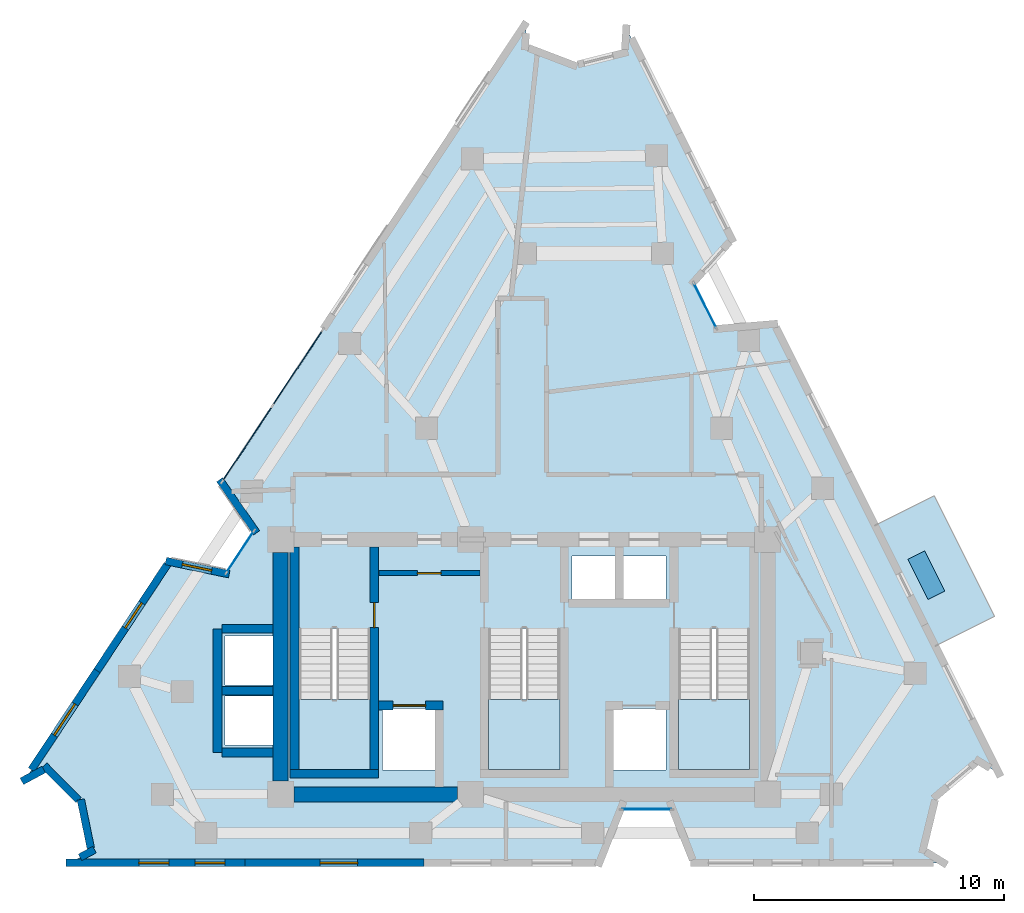
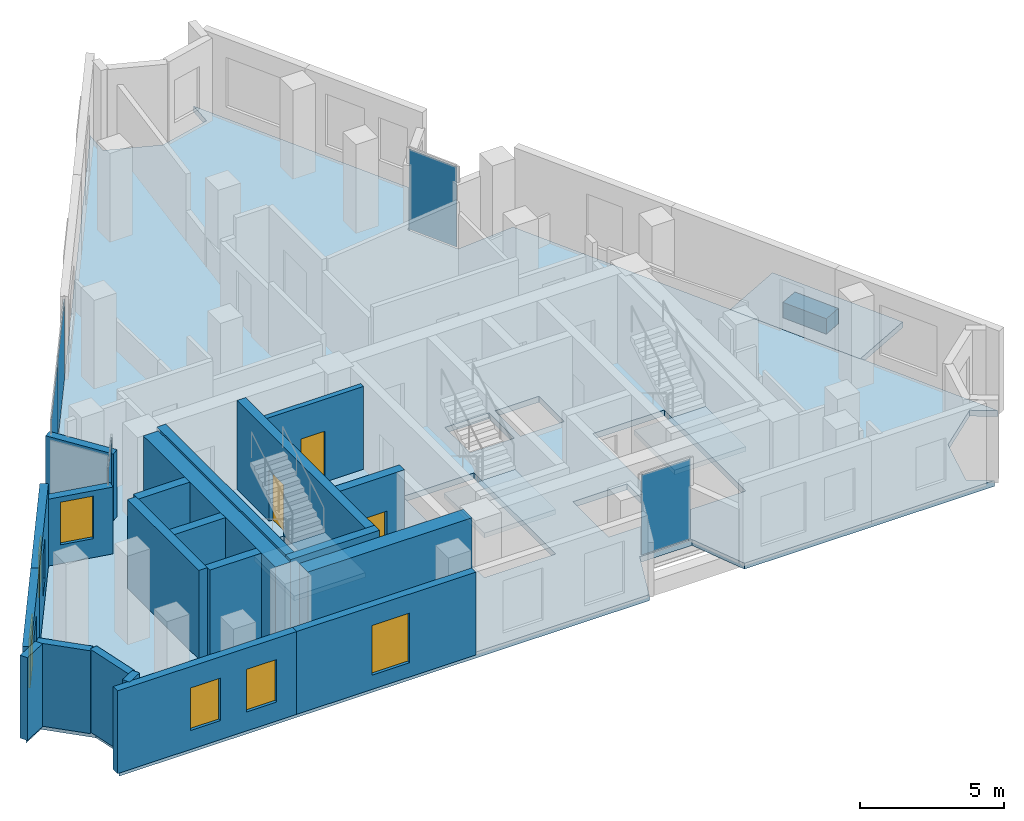
# One storey, part 4 of 9: 21 walls, 6 plates, 6 windows, 5 slabs, 3 doors, 9 openings, 7 elements without a shape of their own.
"""IFC4 building model written with IfcOpenShell, lengths in metres."""

from ifc_helpers import new_model, si_unit, direction, frame, frame_2d, origin, origin_2d, place, context, subcontext, project, spatial, polyline, rectangle, outline, extrude, material, layer, layer_set, type_object, element, fill, aggregate, save


model = new_model("IFC4")

# Units and contexts
model_context = context("Model", 3, precision=1e-05, world=origin(), true_north=direction((0.0, 1.0)))
body_context = subcontext(model_context, "Body", "Model", "MODEL_VIEW")
ifc_project = project(units=[si_unit("LENGTHUNIT", "METRE"), si_unit("AREAUNIT", "SQUARE_METRE"), si_unit("VOLUMEUNIT", "CUBIC_METRE"), si_unit("PLANEANGLEUNIT", "RADIAN"), si_unit("MASSUNIT", "GRAM", prefix="KILO")], contexts=[model_context])

# Site, building, storey
site_placement = place(None, origin())
site = spatial("IfcSite", under=ifc_project, at=site_placement, CompositionType="ELEMENT")
building_placement = place(site_placement, origin())
building = spatial("IfcBuilding", under=site, at=building_placement, Name="Almagre Mirador Tower", CompositionType="ELEMENT")
storey_placement = place(building_placement, frame((0.0, 0.0, 267.0)))
storey = spatial("IfcBuildingStorey", under=building, at=storey_placement, Name="L69", CompositionType="ELEMENT", Elevation=267.0)

# Curtain wall, plate
ifc_material_1 = material(Name="Black anodized aluminium", Category="aluminium")
ifc_layer_1 = layer(ifc_material_1, 0.169921875)
ifc_layer_set_1 = layer_set([ifc_layer_1], Name="Black anodized aluminium")
curtain_wall_type_1 = type_object("IfcCurtainWallType", Name="CW-CRS-SYS", PredefinedType="NOTDEFINED", material=ifc_layer_set_1)
curtain_wall_1_placement = place(storey_placement, origin())
curtain_wall_1 = element("IfcCurtainWall", 1, at=curtain_wall_1_placement, inside=storey, type_object=curtain_wall_type_1, Name="L69 vertical crease curtain wall 01", PredefinedType="NOTDEFINED")
ifc_material_2 = material(Name="Dark solar-control laminated hurricane glass", Category="glass")
ifc_layer_2 = layer(ifc_material_2, 0.028076171875)
ifc_layer_set_2 = layer_set([ifc_layer_2], Name="Dark solar-control laminated hurricane glass")
plate_type_1 = type_object("IfcPlateType", Name="PLT-GLZ-28", PredefinedType="CURTAIN_PANEL", material=ifc_layer_set_2)
plate_1_placement = place(storey_placement, frame((25.928955078125, 14.260498046875, 0.06005859375), z_axis=(0.0, 0.0, 1.0), x_axis=(0.552047907303, 0.833812393793, 0.0)))
plate_1 = element("IfcPlate", 2, at=plate_1_placement, type_object=plate_type_1, Name="CW-4 panel 1.1", PredefinedType="CURTAIN_PANEL", context=body_context, shape_type="SweptSolid", body=[
    extrude(rectangle(XDim=1.970458984375, YDim=0.028076171875, at=origin_2d()), origin(), (0.0, 0.0, 1.0), 3.3798828125),
])
aggregate(curtain_wall_1, [plate_1])

curtain_wall_2_placement = place(storey_placement, origin())
curtain_wall_2 = element("IfcCurtainWall", 3, at=curtain_wall_2_placement, inside=storey, type_object=curtain_wall_type_1, Name="L69 vertical crease curtain wall 03", PredefinedType="NOTDEFINED")
plate_2_placement = place(storey_placement, frame((44.53955078125, 24.113525390625, 0.06005859375), z_axis=(0.0, 0.0, 1.0), x_axis=(0.447404988464, -0.894331468918, 0.0)))
plate_2 = element("IfcPlate", 4, at=plate_2_placement, type_object=plate_type_1, Name="CW-4 panel 1.1", PredefinedType="CURTAIN_PANEL", context=body_context, shape_type="SweptSolid", body=[
    extrude(rectangle(XDim=1.9697265625, YDim=0.028076171875, at=origin_2d()), origin(), (0.0, 0.0, 1.0), 3.3798828125),
])
aggregate(curtain_wall_2, [plate_2])

curtain_wall_3_placement = place(storey_placement, origin())
curtain_wall_3 = element("IfcCurtainWall", 5, at=curtain_wall_3_placement, inside=storey, type_object=curtain_wall_type_1, Name="L69 vertical crease curtain wall 04", PredefinedType="NOTDEFINED")
plate_3_placement = place(storey_placement, frame((42.199951171875, 3.949951171875, 0.06005859375), z_axis=(0.0, 0.0, 1.0), x_axis=(-1.0, 0.0, 0.0)))
plate_3 = element("IfcPlate", 6, at=plate_3_placement, type_object=plate_type_1, Name="CW-4 panel 1.1", PredefinedType="CURTAIN_PANEL", context=body_context, shape_type="SweptSolid", body=[
    extrude(rectangle(XDim=1.969970703125, YDim=0.028076171875, at=origin_2d()), origin(), (0.0, 0.0, 1.0), 3.3798828125),
])
aggregate(curtain_wall_3, [plate_3])

# Curtain wall, plates
ifc_material_3 = material(Name="Black anodized aluminium", Category="aluminium")
ifc_layer_3 = layer(ifc_material_3, 0.199951171875)
ifc_layer_set_3 = layer_set([ifc_layer_3], Name="Black anodized aluminium")
curtain_wall_type_2 = type_object("IfcCurtainWallType", Name="CW-RES-H-SYS", PredefinedType="NOTDEFINED", material=ifc_layer_set_3)
curtain_wall_4_placement = place(storey_placement, origin())
curtain_wall_4 = element("IfcCurtainWall", 7, at=curtain_wall_4_placement, inside=storey, type_object=curtain_wall_type_2, Name="L69 curtain wall run 02", PredefinedType="NOTDEFINED")
ifc_material_4 = material(Name="Dark solar-control laminated hurricane glass", Category="glass")
ifc_layer_4 = layer(ifc_material_4, 0.035888671875)
ifc_layer_set_4 = layer_set([ifc_layer_4], Name="Dark solar-control laminated hurricane glass")
plate_type_2 = type_object("IfcPlateType", Name="PLT-GLZ-36", PredefinedType="CURTAIN_PANEL", material=ifc_layer_set_4)
plate_4_placement = place(storey_placement, frame((26.212158203125, 18.580810546875, 0.06494140625), z_axis=(0.0, 0.0, 1.0), x_axis=(0.552089057386, 0.833785147813, 0.0)))
plate_4 = element("IfcPlate", 8, at=plate_4_placement, type_object=plate_type_2, Name="CW-3 panel 1.1", PredefinedType="CURTAIN_PANEL", context=body_context, shape_type="SweptSolid", body=[
    extrude(rectangle(XDim=3.58740234375, YDim=0.035888671875, at=origin_2d()), origin(), (0.0, 0.0, 1.0), 3.3701171875),
])
plate_5_placement = place(storey_placement, frame((28.228515625, 21.6259765625, 0.06494140625), z_axis=(0.0, 0.0, 1.0), x_axis=(0.552089057386, 0.833785147813, 0.0)))
plate_5 = element("IfcPlate", 9, at=plate_5_placement, type_object=plate_type_2, Name="CW-3 panel 2.1", PredefinedType="CURTAIN_PANEL", context=body_context, shape_type="SweptSolid", body=[
    extrude(rectangle(XDim=3.58740234375, YDim=0.035888671875, at=origin_2d()), origin(), (0.0, 0.0, 1.0), 3.3701171875),
])
aggregate(curtain_wall_4, [plate_4, plate_5])

# Plate
ifc_material_5 = material(Name="Precast concrete C50/60", Category="concrete")
ifc_layer_5 = layer(ifc_material_5, 0.64990234375)
ifc_layer_set_5 = layer_set([ifc_layer_5], Name="Precast concrete C50/60")
plate_type_3 = type_object("IfcPlateType", Name="PLT-PLANTER-1800", PredefinedType="USERDEFINED", material=ifc_layer_set_5)
plate_6_placement = place(storey_placement, frame((53.39990234375, 13.324951171875, 0.0), z_axis=(0.0, 0.0, 1.0), x_axis=(-0.44721279659, 0.894427590455, 0.0)))
element("IfcPlate", 10, at=plate_6_placement, inside=storey, type_object=plate_type_3, Name="L69 east balcony structural tree planter 1", ObjectType="PLANTER", PredefinedType="USERDEFINED", context=body_context, shape_type="SweptSolid", body=[
    extrude(rectangle(XDim=1.800048828125, YDim=0.75, at=origin_2d()), origin(), (0.0, 0.0, 1.0), 0.64990234375),
])

# Slabs
ifc_material_6 = material(Name="Concrete C45/55", Category="concrete")
ifc_layer_6 = layer(ifc_material_6, 0.239990234375)
ifc_layer_set_6 = layer_set([ifc_layer_6], Name="Concrete C45/55")
slab_type_1 = type_object("IfcSlabType", Name="SLB-BAL-240", PredefinedType="USERDEFINED", material=ifc_layer_set_6)
slab_1_placement = place(storey_placement, frame((0.0, 0.0, -0.239990234375)))
element("IfcSlab", 11, at=slab_1_placement, inside=storey, type_object=slab_type_1, Name="L69 east planted tree balcony 1", ObjectType="BALCONY", PredefinedType="USERDEFINED", context=body_context, shape_type="SweptSolid", body=[
    extrude(outline(polyline([(53.739013671875, 10.47607421875), (51.324951171875, 15.305908203125), (53.712890625, 16.5), (56.1279296875, 11.669921875), (53.739013671875, 10.47607421875)])), origin(), (0.0, 0.0, 1.0), 0.239990234375),
])
ifc_material_7 = material(Name="Concrete C45/55", Category="concrete")
ifc_layer_7 = layer(ifc_material_7, 0.25)
ifc_layer_set_7 = layer_set([ifc_layer_7], Name="Concrete C45/55")
slab_type_2 = type_object("IfcSlabType", Name="SLB-FLR-250", PredefinedType="FLOOR", material=ifc_layer_set_7)
slab_2_placement = place(storey_placement, frame((0.0, 0.0, -0.25)))
element("IfcSlab", 12, at=slab_2_placement, inside=storey, type_object=slab_type_2, Name="L69 structural floor slab", PredefinedType="FLOOR", context=body_context, shape_type="SweptSolid", body=[
    extrude(outline(polyline([(17.30810546875, 5.135009765625), (18.180908203125, 5.60400390625), (19.574951171875, 4.2041015625), (19.971923828125, 2.26904296875), (19.10009765625, 1.800048828125), (40.300048828125, 1.800048828125), (41.155029296875, 3.949951171875), (43.2451171875, 3.949951171875), (44.10009765625, 1.800048828125), (54.10009765625, 1.800048828125), (53.258056640625, 2.320068359375), (53.779052734375, 4.470947265625), (55.468994140625, 5.89794921875), (56.31103515625, 5.3779296875), (47.31201171875, 23.3759765625), (45.007080078125, 23.178955078125), (44.072021484375, 25.048095703125), (45.613037109375, 26.77490234375), (41.388916015625, 35.221923828125), (41.3291015625, 34.23388671875), (39.2919921875, 33.72900390625), (37.33203125, 34.47705078125), (37.39208984375, 35.465087890625), (25.18603515625, 17.031005859375), (26.506103515625, 15.132080078125), (25.35205078125, 13.388916015625), (23.087890625, 13.863037109375), (17.30810546875, 5.135009765625)]), holes=[polyline([(43.47509765625, 5.550048828125), (43.47509765625, 11.196044921875), (46.324951171875, 11.196044921875), (46.324951171875, 5.550048828125), (43.47509765625, 5.550048828125)]), polyline([(41.219970703125, 12.320068359375), (41.219970703125, 14.080078125), (42.97998046875, 14.080078125), (42.97998046875, 12.320068359375), (41.219970703125, 12.320068359375)]), polyline([(42.97998046875, 5.52001953125), (40.820068359375, 5.52001953125), (40.820068359375, 7.97998046875), (42.97998046875, 7.97998046875), (42.97998046875, 5.52001953125)]), polyline([(39.219970703125, 12.320068359375), (39.219970703125, 14.080078125), (40.97998046875, 14.080078125), (40.97998046875, 12.320068359375), (39.219970703125, 12.320068359375)]), polyline([(35.875, 5.550048828125), (35.875, 11.196044921875), (38.72509765625, 11.196044921875), (38.72509765625, 5.550048828125), (35.875, 5.550048828125)]), polyline([(33.780029296875, 5.52001953125), (31.6201171875, 5.52001953125), (31.6201171875, 7.97998046875), (33.780029296875, 7.97998046875), (33.780029296875, 5.52001953125)]), polyline([(28.27490234375, 5.550048828125), (28.27490234375, 11.196044921875), (31.125, 11.196044921875), (31.125, 5.550048828125), (28.27490234375, 5.550048828125)]), polyline([(27.3798828125, 6.52001953125), (25.320068359375, 6.52001953125), (25.320068359375, 8.47998046875), (27.3798828125, 8.47998046875), (27.3798828125, 6.52001953125)]), polyline([(27.3798828125, 8.919921875), (25.320068359375, 8.919921875), (25.320068359375, 10.8798828125), (27.3798828125, 10.8798828125), (27.3798828125, 8.919921875)])]), origin(), (0.0, 0.0, 1.0), 0.25),
])

# Stair, slab
ifc_material_8 = material(Name="Concrete C45/55", Category="concrete")
stair_type = type_object("IfcStairType", Name="STR-DL-3750", PredefinedType="HALF_TURN_STAIR", material=ifc_material_8)
stair_1_placement = place(storey_placement, origin())
stair_1 = element("IfcStair", 13, at=stair_1_placement, inside=storey, type_object=stair_type, Name="L69 Protected exit stair ST-1", PredefinedType="HALF_TURN_STAIR")
ifc_material_9 = material(Name="Concrete C45/55", Category="concrete")
ifc_layer_8 = layer(ifc_material_9, 0.199951171875)
ifc_layer_set_8 = layer_set([ifc_layer_8], Name="Concrete C45/55")
slab_type_3 = type_object("IfcSlabType", Name="SLB-LND-200", PredefinedType="LANDING", material=ifc_layer_set_8)
slab_3_placement = place(storey_placement, frame((0.0, 0.0, 1.675048828125)))
slab_3 = element("IfcSlab", 14, at=slab_3_placement, type_object=slab_type_3, Name="ST-1 landing 1", PredefinedType="LANDING", context=body_context, shape_type="SweptSolid", body=[
    extrude(outline(polyline([(28.27490234375, 8.35009765625), (28.27490234375, 5.550048828125), (31.125, 5.550048828125), (31.125, 8.35009765625), (28.27490234375, 8.35009765625)])), origin(), (0.0, 0.0, 1.0), 0.199951171875),
])
aggregate(stair_1, [slab_3])

stair_2_placement = place(storey_placement, origin())
stair_2 = element("IfcStair", 15, at=stair_2_placement, inside=storey, type_object=stair_type, Name="L69 Protected exit stair ST-2", PredefinedType="HALF_TURN_STAIR")
slab_4_placement = place(storey_placement, frame((0.0, 0.0, 1.675048828125)))
slab_4 = element("IfcSlab", 16, at=slab_4_placement, type_object=slab_type_3, Name="ST-2 landing 1", PredefinedType="LANDING", context=body_context, shape_type="SweptSolid", body=[
    extrude(outline(polyline([(35.875, 8.35009765625), (35.875, 5.550048828125), (38.72509765625, 5.550048828125), (38.72509765625, 8.35009765625), (35.875, 8.35009765625)])), origin(), (0.0, 0.0, 1.0), 0.199951171875),
])
aggregate(stair_2, [slab_4])

stair_3_placement = place(storey_placement, origin())
stair_3 = element("IfcStair", 17, at=stair_3_placement, inside=storey, type_object=stair_type, Name="L69 Protected exit stair ST-3", PredefinedType="HALF_TURN_STAIR")
slab_5_placement = place(storey_placement, frame((0.0, 0.0, 1.675048828125)))
slab_5 = element("IfcSlab", 18, at=slab_5_placement, type_object=slab_type_3, Name="ST-3 landing 1", PredefinedType="LANDING", context=body_context, shape_type="SweptSolid", body=[
    extrude(outline(polyline([(43.47509765625, 8.35009765625), (43.47509765625, 5.550048828125), (46.324951171875, 5.550048828125), (46.324951171875, 8.35009765625), (43.47509765625, 8.35009765625)])), origin(), (0.0, 0.0, 1.0), 0.199951171875),
])
aggregate(stair_3, [slab_5])

# Wall, opening, window
ifc_material_10 = material(Name="Precast concrete C50/60", Category="concrete")
ifc_layer_9 = layer(ifc_material_10, 0.300048828125)
ifc_layer_set_9 = layer_set([ifc_layer_9], Name="Precast concrete C50/60")
wall_type_1 = type_object("IfcWallType", Name="WAL-EXT-300", PredefinedType="SOLIDWALL", material=ifc_layer_set_9)
wall_1_placement = place(storey_placement, frame((22.950927734375, 13.8916015625, 0.0), z_axis=(0.0, 0.0, 1.0), x_axis=(0.978788869041, -0.204871544732, 0.0)))
wall_1 = element("IfcWall", 19, at=wall_1_placement, inside=storey, type_object=wall_type_1, Name="L69 expressed almagre precast frame wall 01", PredefinedType="SOLIDWALL", context=body_context, shape_type="SweptSolid", body=[
    extrude(rectangle(XDim=2.593017578125, YDim=0.300048828125, at=frame_2d((1.29638671875, 0.0))), origin(), (0.0, 0.0, 1.0), 2.824951171875),
])
opening_1_placement = place(wall_1_placement, frame((0.675048828125, 0.0, 0.800048828125)))
opening_1 = element("IfcOpeningElement", 20, at=opening_1_placement, cuts=wall_1, Name="Opening WN-04", PredefinedType="OPENING", context=body_context, shape_type="SweptSolid", body=[
    extrude(rectangle(XDim=1.199951171875, YDim=1.800048828125, at=frame_2d((0.60009765625, 0.89990234375))), frame((0.0, 0.159902, 0.0), z_axis=(0.0, -1.0, 0.0), x_axis=(1.0, 0.0, 0.0)), (0.0, 0.0, 1.0), 0.320049),
])
ifc_material_11 = material(Name="Dark solar-control laminated hurricane glass", Category="glass")
window_type_1 = type_object("IfcWindowType", Name="WIN-1200X1800", PartitioningType="SINGLE_PANEL", PredefinedType="WINDOW", material=ifc_material_11)
window_1_placement = place(opening_1_placement, origin())
window_1 = element("IfcWindow", 21, at=window_1_placement, inside=storey, type_object=window_type_1, Name="L69 recessed hurricane window L69-RST-D", OverallHeight=1.800048828125, OverallWidth=1.199951171875, PartitioningType="SINGLE_PANEL", PredefinedType="WINDOW", context=body_context, shape_type="SweptSolid", body=[
    extrude(rectangle(XDim=1.199951171875, YDim=1.800048828125, at=frame_2d((0.60009765625, 0.89990234375))), frame((0.0, 0.030029296875, 0.0), z_axis=(0.0, -1.0, 0.0), x_axis=(1.0, 0.0, 0.0)), (0.0, 0.0, 1.0), 0.06005859375),
])
fill(opening_1, window_1)

# Wall
wall_2_placement = place(storey_placement, frame((26.5859375, 15.01708984375, 0.0), z_axis=(0.0, 0.0, 1.0), x_axis=(-0.570741639744, 0.821129697833, 0.0)))
element("IfcWall", 22, at=wall_2_placement, inside=storey, type_object=wall_type_1, Name="L69 expressed almagre precast frame wall 02", PredefinedType="SOLIDWALL", context=body_context, shape_type="SweptSolid", body=[
    extrude(rectangle(XDim=2.5927734375, YDim=0.300048828125, at=frame_2d((1.29638671875, 0.0))), origin(), (0.0, 0.0, 1.0), 2.824951171875),
])

# Wall, opening, window
wall_3_placement = place(storey_placement, frame((33.280029296875, 1.800048828125, 0.0), z_axis=(0.0, 0.0, 1.0), x_axis=(-1.0, 0.0, 0.0)))
wall_3 = element("IfcWall", 23, at=wall_3_placement, inside=storey, type_object=wall_type_1, Name="L69 expressed almagre precast frame wall 25", PredefinedType="SOLIDWALL", context=body_context, shape_type="SweptSolid", body=[
    extrude(rectangle(XDim=7.159912109375, YDim=0.300048828125, at=frame_2d((3.580078125, 0.0))), origin(), (0.0, 0.0, 1.0), 3.5),
])
opening_2_placement = place(wall_3_placement, frame((2.64990234375, 0.0, 0.60009765625)))
opening_2 = element("IfcOpeningElement", 24, at=opening_2_placement, cuts=wall_3, Name="Opening WN-03", PredefinedType="OPENING", context=body_context, shape_type="SweptSolid", body=[
    extrude(rectangle(XDim=1.5, YDim=2.10009765625, at=frame_2d((0.75, 1.050048828125))), frame((0.0, 0.159902, 0.0), z_axis=(0.0, -1.0, 0.0), x_axis=(1.0, 0.0, 0.0)), (0.0, 0.0, 1.0), 0.320049),
])
ifc_material_12 = material(Name="Dark solar-control laminated hurricane glass", Category="glass")
window_type_2 = type_object("IfcWindowType", Name="WIN-1500X2100", PartitioningType="DOUBLE_PANEL_VERTICAL", PredefinedType="WINDOW", material=ifc_material_12)
window_2_placement = place(opening_2_placement, origin())
window_2 = element("IfcWindow", 25, at=window_2_placement, inside=storey, type_object=window_type_2, Name="L69 recessed hurricane window L69-UB-ST", OverallHeight=2.10009765625, OverallWidth=1.5, PartitioningType="SINGLE_PANEL", PredefinedType="WINDOW", context=body_context, shape_type="SweptSolid", body=[
    extrude(rectangle(XDim=1.5, YDim=2.10009765625, at=frame_2d((0.75, 1.050048828125))), frame((0.0, 0.030029296875, 0.0), z_axis=(0.0, -1.0, 0.0), x_axis=(1.0, 0.0, 0.0)), (0.0, 0.0, 1.0), 0.06005859375),
])
fill(opening_2, window_2)

# Wall, openings, windows
wall_4_placement = place(storey_placement, frame((26.1201171875, 1.800048828125, 0.0), z_axis=(0.0, 0.0, 1.0), x_axis=(-1.0, 0.0, 0.0)))
wall_4 = element("IfcWall", 26, at=wall_4_placement, inside=storey, type_object=wall_type_1, Name="L69 expressed almagre precast frame wall 26", PredefinedType="SOLIDWALL", context=body_context, shape_type="SweptSolid", body=[
    extrude(rectangle(XDim=7.16015625, YDim=0.300048828125, at=frame_2d((3.580078125, 0.0))), origin(), (0.0, 0.0, 1.0), 3.5),
])
opening_3_placement = place(wall_4_placement, frame((3.050048828125, 0.0, 0.800048828125)))
opening_3 = element("IfcOpeningElement", 27, at=opening_3_placement, cuts=wall_4, Name="Opening WN-04", PredefinedType="OPENING", context=body_context, shape_type="SweptSolid", body=[
    extrude(rectangle(XDim=1.199951171875, YDim=1.800048828125, at=frame_2d((0.60009765625, 0.89990234375))), frame((0.0, 0.159902, 0.0), z_axis=(0.0, -1.0, 0.0), x_axis=(1.0, 0.0, 0.0)), (0.0, 0.0, 1.0), 0.320049),
])
opening_4_placement = place(wall_4_placement, frame((0.800048828125, 0.0, 0.800048828125)))
opening_4 = element("IfcOpeningElement", 28, at=opening_4_placement, cuts=wall_4, Name="Opening WN-04", PredefinedType="OPENING", context=body_context, shape_type="SweptSolid", body=[
    extrude(rectangle(XDim=1.199951171875, YDim=1.800048828125, at=frame_2d((0.60009765625, 0.89990234375))), frame((0.0, 0.159902, 0.0), z_axis=(0.0, -1.0, 0.0), x_axis=(1.0, 0.0, 0.0)), (0.0, 0.0, 1.0), 0.320049),
])
window_3_placement = place(opening_3_placement, origin())
window_3 = element("IfcWindow", 29, at=window_3_placement, inside=storey, type_object=window_type_1, Name="L69 recessed hurricane window L69-UA-KT", OverallHeight=1.800048828125, OverallWidth=1.199951171875, PartitioningType="SINGLE_PANEL", PredefinedType="WINDOW", context=body_context, shape_type="SweptSolid", body=[
    extrude(rectangle(XDim=1.199951171875, YDim=1.800048828125, at=frame_2d((0.60009765625, 0.89990234375))), frame((0.0, 0.030029296875, 0.0), z_axis=(0.0, -1.0, 0.0), x_axis=(1.0, 0.0, 0.0)), (0.0, 0.0, 1.0), 0.06005859375),
])
fill(opening_3, window_3)
window_4_placement = place(opening_4_placement, origin())
window_4 = element("IfcWindow", 30, at=window_4_placement, inside=storey, type_object=window_type_1, Name="L69 recessed hurricane window L69-UB-KT", OverallHeight=1.800048828125, OverallWidth=1.199951171875, PartitioningType="SINGLE_PANEL", PredefinedType="WINDOW", context=body_context, shape_type="SweptSolid", body=[
    extrude(rectangle(XDim=1.199951171875, YDim=1.800048828125, at=frame_2d((0.60009765625, 0.89990234375))), frame((0.0, 0.030029296875, 0.0), z_axis=(0.0, -1.0, 0.0), x_axis=(1.0, 0.0, 0.0)), (0.0, 0.0, 1.0), 0.06005859375),
])
fill(opening_4, window_4)

# Walls
wall_5_placement = place(storey_placement, frame((19.518310546875, 2.02490234375, 0.0), z_axis=(0.0, 0.0, 1.0), x_axis=(0.8806864219, 0.47369972164, 0.0)))
element("IfcWall", 31, at=wall_5_placement, inside=storey, type_object=wall_type_1, Name="L69 expressed almagre precast frame wall 27", PredefinedType="SOLIDWALL", context=body_context, shape_type="SweptSolid", body=[
    extrude(rectangle(XDim=0.655029296875, YDim=0.300048828125, at=frame_2d((0.32763671875, 0.0))), origin(), (0.0, 0.0, 1.0), 3.5),
])
wall_6_placement = place(storey_placement, frame((19.94580078125, 2.396484375, 0.0), z_axis=(0.0, 0.0, 1.0), x_axis=(-0.200962300898, 0.979598975917, 0.0)))
element("IfcWall", 32, at=wall_6_placement, inside=storey, type_object=wall_type_1, Name="L69 expressed almagre precast frame wall 28", PredefinedType="SOLIDWALL", context=body_context, shape_type="SweptSolid", body=[
    extrude(rectangle(XDim=1.985107421875, YDim=0.300048828125, at=frame_2d((0.99267578125, 0.0))), origin(), (0.0, 0.0, 1.0), 3.5),
])
wall_7_placement = place(storey_placement, frame((19.465576171875, 4.313720703125, 0.0), z_axis=(0.0, 0.0, 1.0), x_axis=(-0.705548527825, 0.708661608163, 0.0)))
element("IfcWall", 33, at=wall_7_placement, inside=storey, type_object=wall_type_1, Name="L69 expressed almagre precast frame wall 29", PredefinedType="SOLIDWALL", context=body_context, shape_type="SweptSolid", body=[
    extrude(rectangle(XDim=1.960693359375, YDim=0.300048828125, at=frame_2d((0.98046875, 0.0))), origin(), (0.0, 0.0, 1.0), 3.5),
])
wall_8_placement = place(storey_placement, frame((18.06640625, 5.54248046875, 0.0), z_axis=(0.0, 0.0, 1.0), x_axis=(-0.880815496191, -0.473459672696, 0.0)))
element("IfcWall", 34, at=wall_8_placement, inside=storey, type_object=wall_type_1, Name="L69 expressed almagre precast frame wall 30", PredefinedType="SOLIDWALL", context=body_context, shape_type="SweptSolid", body=[
    extrude(rectangle(XDim=1.0009765625, YDim=0.300048828125, at=frame_2d((0.50048828125, 0.0))), origin(), (0.0, 0.0, 1.0), 3.5),
])

# Wall, opening, window
wall_9_placement = place(storey_placement, frame((17.5703125, 5.531005859375, 0.0), z_axis=(0.0, 0.0, 1.0), x_axis=(0.552128667892, 0.833758918448, 0.0)))
wall_9 = element("IfcWall", 35, at=wall_9_placement, inside=storey, type_object=wall_type_1, Name="L69 expressed almagre precast frame wall 31", PredefinedType="SOLIDWALL", context=body_context, shape_type="SweptSolid", body=[
    extrude(rectangle(XDim=4.75927734375, YDim=0.300048828125, at=frame_2d((2.379638671875, 0.0))), origin(), (0.0, 0.0, 1.0), 3.5),
])
opening_5_placement = place(wall_9_placement, frame((1.659912109375, 0.0, 0.60009765625)))
opening_5 = element("IfcOpeningElement", 36, at=opening_5_placement, cuts=wall_9, Name="Opening WN-03", PredefinedType="OPENING", context=body_context, shape_type="SweptSolid", body=[
    extrude(rectangle(XDim=1.5, YDim=2.10009765625, at=frame_2d((0.75, 1.050048828125))), frame((0.0, 0.159902, 0.0), z_axis=(0.0, -1.0, 0.0), x_axis=(1.0, 0.0, 0.0)), (0.0, 0.0, 1.0), 0.320049),
])
window_5_placement = place(opening_5_placement, origin())
window_5 = element("IfcWindow", 37, at=window_5_placement, inside=storey, type_object=window_type_2, Name="L69 recessed hurricane window L69-RST-D", OverallHeight=2.10009765625, OverallWidth=1.5, PartitioningType="SINGLE_PANEL", PredefinedType="WINDOW", context=body_context, shape_type="SweptSolid", body=[
    extrude(rectangle(XDim=1.5, YDim=2.10009765625, at=frame_2d((0.75, 1.050048828125))), frame((0.0, 0.030029296875, 0.0), z_axis=(0.0, -1.0, 0.0), x_axis=(1.0, 0.0, 0.0)), (0.0, 0.0, 1.0), 0.06005859375),
])
fill(opening_5, window_5)

wall_10_placement = place(storey_placement, frame((20.197998046875, 9.4990234375, 0.0), z_axis=(0.0, 0.0, 1.0), x_axis=(0.552134225609, 0.833755238011, 0.0)))
wall_10 = element("IfcWall", 38, at=wall_10_placement, inside=storey, type_object=wall_type_1, Name="L69 expressed almagre precast frame wall 32", PredefinedType="SOLIDWALL", context=body_context, shape_type="SweptSolid", body=[
    extrude(rectangle(XDim=5.09912109375, YDim=0.300048828125, at=frame_2d((2.549560546875, 0.0))), origin(), (0.0, 0.0, 1.0), 3.5),
])
opening_6_placement = place(wall_10_placement, frame((2.050048828125, 0.0, 0.800048828125)))
opening_6 = element("IfcOpeningElement", 39, at=opening_6_placement, cuts=wall_10, Name="Opening WN-04", PredefinedType="OPENING", context=body_context, shape_type="SweptSolid", body=[
    extrude(rectangle(XDim=1.199951171875, YDim=1.800048828125, at=frame_2d((0.60009765625, 0.89990234375))), frame((0.0, 0.159902, 0.0), z_axis=(0.0, -1.0, 0.0), x_axis=(1.0, 0.0, 0.0)), (0.0, 0.0, 1.0), 0.320049),
])
window_6_placement = place(opening_6_placement, origin())
window_6 = element("IfcWindow", 40, at=window_6_placement, inside=storey, type_object=window_type_1, Name="L69 recessed hurricane window L69-RST-D", OverallHeight=1.800048828125, OverallWidth=1.199951171875, PartitioningType="SINGLE_PANEL", PredefinedType="WINDOW", context=body_context, shape_type="SweptSolid", body=[
    extrude(rectangle(XDim=1.199951171875, YDim=1.800048828125, at=frame_2d((0.60009765625, 0.89990234375))), frame((0.0, 0.030029296875, 0.0), z_axis=(0.0, -1.0, 0.0), x_axis=(1.0, 0.0, 0.0)), (0.0, 0.0, 1.0), 0.06005859375),
])
fill(opening_6, window_6)

# Wall, opening, door
ifc_material_13 = material(Name="Gypsum acoustic stud partition", Category="other")
ifc_layer_10 = layer(ifc_material_13, 0.199951171875)
ifc_layer_set_10 = layer_set([ifc_layer_10], Name="Gypsum acoustic stud partition")
wall_type_2 = type_object("IfcWallType", Name="WAL-PRT-200-EI60", PredefinedType="PARTITIONING", material=ifc_layer_set_10)
wall_11_placement = place(storey_placement, frame((31.47998046875, 13.39990234375, 0.0), z_axis=(0.0, 0.0, 1.0), x_axis=(1.0, 0.0, 0.0)))
wall_11 = element("IfcWall", 41, at=wall_11_placement, inside=storey, type_object=wall_type_2, Name="L69 FFL-1 north enclosure wall", PredefinedType="PARTITIONING", context=body_context, shape_type="SweptSolid", body=[
    extrude(rectangle(XDim=4.0400390625, YDim=0.199951171875, at=frame_2d((2.02001953125, 0.0))), origin(), (0.0, 0.0, 1.0), 3.5),
])
opening_7_placement = place(wall_11_placement, frame((1.544921875, 0.0, 0.0)))
opening_7 = element("IfcOpeningElement", 42, at=opening_7_placement, cuts=wall_11, Name="Opening ID-02", PredefinedType="OPENING", context=body_context, shape_type="SweptSolid", body=[
    extrude(rectangle(XDim=0.949951171875, YDim=2.14990234375, at=frame_2d((0.47509765625, 1.074951171875))), frame((0.0, 0.110098, 0.0), z_axis=(0.0, -1.0, 0.0), x_axis=(1.0, 0.0, 0.0)), (0.0, 0.0, 1.0), 0.219951),
])
ifc_material_14 = material(Name="Fire-rated walnut timber", Category="wood")
door_type_1 = type_object("IfcDoorType", Name="DOR-FD60-950X2150", OperationType="NOTDEFINED", PredefinedType="DOOR", material=ifc_material_14)
door_1_placement = place(opening_7_placement, origin())
door_1 = element("IfcDoor", 43, at=door_1_placement, inside=storey, type_object=door_type_1, Name="DR-2097 L69 FFL-1 north smoke door", OperationType="SINGLE_SWING_LEFT", OverallHeight=2.14990234375, OverallWidth=0.949951171875, PredefinedType="DOOR", context=body_context, shape_type="SweptSolid", body=[
    extrude(rectangle(XDim=0.949951171875, YDim=2.14990234375, at=frame_2d((0.47509765625, 1.074951171875))), frame((0.0, 0.02490234375, 0.0), z_axis=(0.0, -1.0, 0.0), x_axis=(1.0, 0.0, 0.0)), (0.0, 0.0, 1.0), 0.050048828125),
])
fill(opening_7, door_1)

# Wall
ifc_material_15 = material(Name="Concrete C60/75", Category="concrete")
ifc_layer_11 = layer(ifc_material_15, 0.35009765625)
ifc_layer_set_11 = layer_set([ifc_layer_11], Name="Concrete C60/75")
wall_type_3 = type_object("IfcWallType", Name="WAL-SHF-350", PredefinedType="SOLIDWALL", material=ifc_layer_set_11)
wall_12_placement = place(storey_placement, frame((28.10009765625, 5.199951171875, 0.0), z_axis=(0.0, 0.0, 1.0), x_axis=(0.0, 1.0, 0.0)))
element("IfcWall", 44, at=wall_12_placement, inside=storey, type_object=wall_type_3, Name="L69 shaft wall ST1-W", PredefinedType="SOLIDWALL", context=body_context, shape_type="SweptSolid", body=[
    extrude(rectangle(XDim=9.25, YDim=0.35009765625, at=frame_2d((4.625, 0.0))), origin(), (0.0, 0.0, 1.0), 3.75),
])

# Wall, opening, door
wall_13_placement = place(storey_placement, frame((31.300048828125, 5.199951171875, 0.0), z_axis=(0.0, 0.0, 1.0), x_axis=(0.0, 1.0, 0.0)))
wall_13 = element("IfcWall", 45, at=wall_13_placement, inside=storey, type_object=wall_type_3, Name="L69 shaft wall ST1-E", PredefinedType="SOLIDWALL", context=body_context, shape_type="SweptSolid", body=[
    extrude(rectangle(XDim=9.25, YDim=0.35009765625, at=frame_2d((4.625, 0.0))), origin(), (0.0, 0.0, 1.0), 3.75),
])
opening_8_placement = place(wall_13_placement, frame((6.02001953125, 0.0, 0.0)))
opening_8 = element("IfcOpeningElement", 46, at=opening_8_placement, cuts=wall_13, Name="Opening FD-01", PredefinedType="OPENING", context=body_context, shape_type="SweptSolid", body=[
    extrude(rectangle(XDim=1.0, YDim=2.14990234375, at=frame_2d((0.5, 1.074951171875))), frame((0.0, 0.185049, 0.0), z_axis=(0.0, -1.0, 0.0), x_axis=(1.0, 0.0, 0.0)), (0.0, 0.0, 1.0), 0.370098),
])
ifc_material_16 = material(Name="Fire-rated hollow steel", Category="steel")
door_type_2 = type_object("IfcDoorType", Name="DOR-FFL-1000X2150", OperationType="NOTDEFINED", PredefinedType="DOOR", material=ifc_material_16)
door_2_placement = place(opening_8_placement, origin())
door_2 = element("IfcDoor", 47, at=door_2_placement, inside=storey, type_object=door_type_2, Name="DR-2098 L69 FFL1-ST1 smokeproof door", OperationType="SINGLE_SWING_LEFT", OverallHeight=2.14990234375, OverallWidth=1.0, PredefinedType="DOOR", context=body_context, shape_type="SweptSolid", body=[
    extrude(rectangle(XDim=1.0, YDim=2.14990234375, at=frame_2d((0.5, 1.074951171875))), frame((0.0, 0.02490234375, 0.0), z_axis=(0.0, -1.0, 0.0), x_axis=(1.0, 0.0, 0.0)), (0.0, 0.0, 1.0), 0.050048828125),
])
fill(opening_8, door_2)

# Wall
wall_14_placement = place(storey_placement, frame((27.925048828125, 5.375, 0.0), z_axis=(0.0, 0.0, 1.0), x_axis=(1.0, 0.0, 0.0)))
element("IfcWall", 48, at=wall_14_placement, inside=storey, type_object=wall_type_3, Name="L69 shaft wall ST1-S", PredefinedType="SOLIDWALL", context=body_context, shape_type="SweptSolid", body=[
    extrude(rectangle(XDim=3.550048828125, YDim=0.35009765625, at=frame_2d((1.77490234375, 0.0))), origin(), (0.0, 0.0, 1.0), 3.75),
])

# Wall, opening, door
wall_15_placement = place(storey_placement, frame((31.47509765625, 8.10009765625, 0.0), z_axis=(0.0, 0.0, 1.0), x_axis=(1.0, 0.0, 0.0)))
wall_15 = element("IfcWall", 49, at=wall_15_placement, inside=storey, type_object=wall_type_3, Name="L69 shaft wall FSAE1-N", PredefinedType="SOLIDWALL", context=body_context, shape_type="SweptSolid", body=[
    extrude(rectangle(XDim=2.574951171875, YDim=0.35009765625, at=frame_2d((1.28759765625, 0.0))), origin(), (0.0, 0.0, 1.0), 3.75),
])
opening_9_placement = place(wall_15_placement, frame((0.574951171875, 0.0, 0.0)))
opening_9 = element("IfcOpeningElement", 50, at=opening_9_placement, cuts=wall_15, Name="Opening LD-03", PredefinedType="OPENING", context=body_context, shape_type="SweptSolid", body=[
    extrude(rectangle(XDim=1.300048828125, YDim=2.25, at=frame_2d((0.64990234375, 1.125))), frame((0.0, 0.185049, 0.0), z_axis=(0.0, -1.0, 0.0), x_axis=(1.0, 0.0, 0.0)), (0.0, 0.0, 1.0), 0.370098),
])
ifc_material_17 = material(Name="Hollow stainless steel", Category="steel")
door_type_3 = type_object("IfcDoorType", Name="DOR-LD-1300X2250", OperationType="DOUBLE_DOOR_SLIDING", PredefinedType="DOOR", material=ifc_material_17)
door_3_placement = place(opening_9_placement, origin())
door_3 = element("IfcDoor", 51, at=door_3_placement, inside=storey, type_object=door_type_3, Name="DR-2109 L69 FSAE-1 lift landing door", OperationType="DOUBLE_DOOR_SLIDING", OverallHeight=2.25, OverallWidth=1.300048828125, PredefinedType="DOOR", context=body_context, shape_type="SweptSolid", body=[
    extrude(rectangle(XDim=1.300048828125, YDim=2.25, at=frame_2d((0.64990234375, 1.125))), frame((0.0, 0.02490234375, 0.0), z_axis=(0.0, -1.0, 0.0), x_axis=(1.0, 0.0, 0.0)), (0.0, 0.0, 1.0), 0.050048828125),
])
fill(opening_9, door_3)

# Walls
wall_16_placement = place(storey_placement, frame((25.02490234375, 6.22509765625, 0.0), z_axis=(0.0, 0.0, 1.0), x_axis=(0.0, 1.0, 0.0)))
element("IfcWall", 52, at=wall_16_placement, inside=storey, type_object=wall_type_3, Name="L69 shaft wall OL-W", PredefinedType="SOLIDWALL", context=body_context, shape_type="SweptSolid", body=[
    extrude(rectangle(XDim=4.949951171875, YDim=0.35009765625, at=frame_2d((2.47509765625, 0.0))), origin(), (0.0, 0.0, 1.0), 3.75),
])
for number, where, z_axis, x_axis, name in (
    (53, (25.199951171875, 6.22509765625, 0.0), (0.0, 0.0, 1.0), (1.0, 0.0, 0.0), "L69 shaft wall OL-S"),
    (54, (25.199951171875, 8.699951171875, 0.0), (0.0, 0.0, 1.0), (1.0, 0.0, 0.0), "L69 shaft wall OL-M"),
    (55, (25.199951171875, 11.175048828125, 0.0), (0.0, 0.0, 1.0), (1.0, 0.0, 0.0), "L69 shaft wall OL-N"),
):
    element("IfcWall", number, at=place(storey_placement, frame(where, z_axis=z_axis, x_axis=x_axis)), inside=storey, type_object=wall_type_3, Name=name, PredefinedType="SOLIDWALL", context=body_context, shape_type="SweptSolid", body=[
        extrude(rectangle(XDim=2.050048828125, YDim=0.35009765625, at=frame_2d((1.02490234375, 0.0))), origin(), (0.0, 0.0, 1.0), 3.75),
    ])
ifc_material_18 = material(Name="Concrete C60/75", Category="concrete")
ifc_layer_12 = layer(ifc_material_18, 0.60009765625)
ifc_layer_set_12 = layer_set([ifc_layer_12], Name="Concrete C60/75")
wall_type_4 = type_object("IfcWallType", Name="WAL-SHR-600", PredefinedType="SHEAR", material=ifc_layer_set_12)
wall_17_placement = place(storey_placement, frame((28.074951171875, 4.550048828125, 0.0), z_axis=(0.0, 0.0, 1.0), x_axis=(1.0, 0.0, 0.0)))
element("IfcWall", 56, at=wall_17_placement, inside=storey, type_object=wall_type_4, Name="L69 core shear wall S1", PredefinedType="SHEAR", context=body_context, shape_type="SweptSolid", body=[
    extrude(rectangle(XDim=6.550048828125, YDim=0.60009765625, at=frame_2d((3.27490234375, 0.0))), origin(), (0.0, 0.0, 1.0), 3.75),
])
wall_18_placement = place(storey_placement, frame((27.550048828125, 5.074951171875, 0.0), z_axis=(0.0, 0.0, 1.0), x_axis=(0.0, 1.0, 0.0)))
element("IfcWall", 57, at=wall_18_placement, inside=storey, type_object=wall_type_4, Name="L69 core shear wall W1", PredefinedType="SHEAR", context=body_context, shape_type="SweptSolid", body=[
    extrude(rectangle(XDim=9.150146484375, YDim=0.60009765625, at=frame_2d((4.5751953125, 0.0))), origin(), (0.0, 0.0, 1.0), 3.75),
])

save(model, "model.ifc")
